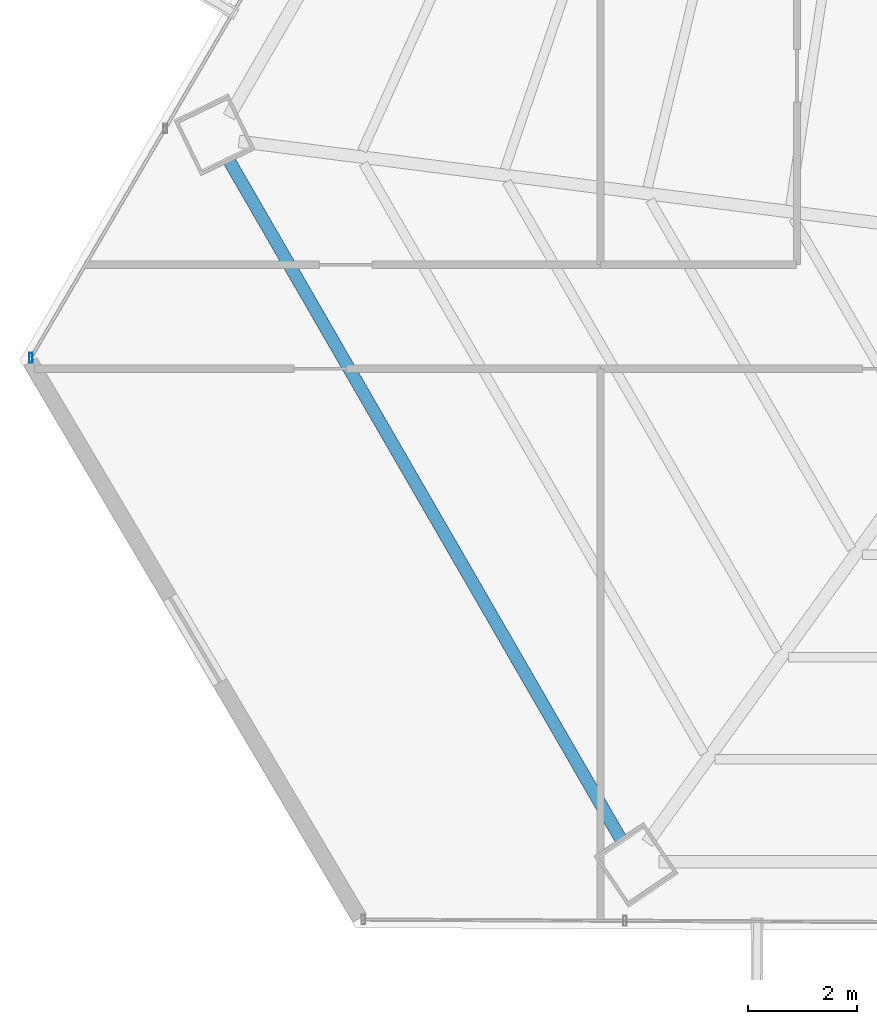
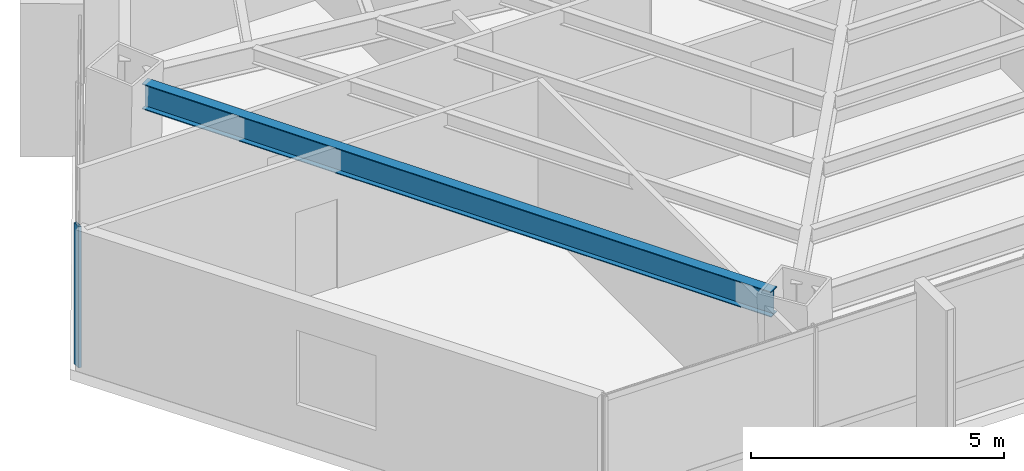
# One storey, part 6 of 35: 1 beam, 1 member, 1 element without a shape of its own.
"""IFC4 building model written with IfcOpenShell, lengths in metres."""

from ifc_helpers import new_model, si_unit, direction, frame, origin, origin_2d, place, context, subcontext, project, spatial, hollow_rectangle, i_section, extrude, source, transform, mapped, material, material_profile, profile_set, type_object, type_shapes, element, aggregate, save


model = new_model("IFC4")

# Units and contexts
model_context = context("Model", 3, precision=1e-05, world=origin(), true_north=direction((0.0, 1.0)))
body_context = subcontext(model_context, "Body", "Model", "MODEL_VIEW")
ifc_project = project(units=[si_unit("LENGTHUNIT", "METRE"), si_unit("AREAUNIT", "SQUARE_METRE"), si_unit("VOLUMEUNIT", "CUBIC_METRE"), si_unit("PLANEANGLEUNIT", "RADIAN"), si_unit("MASSUNIT", "GRAM", prefix="KILO")], contexts=[model_context])

# Site, building, storey
site_placement = place(None, origin())
site = spatial("IfcSite", under=ifc_project, at=site_placement, CompositionType="ELEMENT")
building_placement = place(site_placement, origin())
building = spatial("IfcBuilding", under=site, at=building_placement, Name="Caelisora Broadcast Tower", CompositionType="ELEMENT")
storey_placement = place(building_placement, frame((0.0, 0.0, 94.449951171875)))
storey = spatial("IfcBuildingStorey", under=building, at=storey_placement, Name="L24", CompositionType="ELEMENT", Elevation=94.449951171875)

# Beam
ifc_material_1 = material(Name="Steel Grade 350 (AS/NZS 3679.1)", Category="steel")
ifc_material_profile_1 = material_profile(ifc_material_1, i_section(OverallWidth=0.22900390625, OverallDepth=0.611572265625, WebThickness=0.011962890625, FlangeThickness=0.01953125, at=origin_2d()), Name="Steel Grade 350 (AS/NZS 3679.1)")
ifc_profile_set_1 = profile_set([ifc_material_profile_1], Name="Steel Grade 350 (AS/NZS 3679.1)")
beam_type = type_object("IfcBeamType", Name="PG03", PredefinedType="BEAM", material=ifc_profile_set_1)
shared_shape_1 = source(origin(), body_context, "Body", "SweptSolid", [
    extrude(i_section(OverallWidth=0.22900390625, OverallDepth=0.611572265625, WebThickness=0.011962890625, FlangeThickness=0.01953125, at=origin_2d()), origin(), (0.0, 0.0, 1.0), 14.334716796875),
])
type_shapes(beam_type, [shared_shape_1])
beam_placement = place(storey_placement, frame((15.020751953125, 19.009033203125, 3.09423828125), z_axis=(0.499991264927, -0.866030446922, 0.0), x_axis=(0.866030446922, 0.499991264927, 0.0)))
element("IfcBeam", 1, at=beam_placement, inside=storey, type_object=beam_type, Name="L24 beam PG03", PredefinedType="BEAM", context=body_context, shape_type="MappedRepresentation", body=[
    mapped(shared_shape_1, transform((0.0, 0.0, 0.0), scale=1.0)),
])

# Curtain wall, member
ifc_material_2 = material(Name="Unitised Aluminium and Low-E Glass Curtain Wall", Category="glass")
curtain_wall_type = type_object("IfcCurtainWallType", Name="CW-Z2", PredefinedType="NOTDEFINED", material=ifc_material_2)
curtain_wall_placement = place(storey_placement, origin())
curtain_wall = element("IfcCurtainWall", 2, at=curtain_wall_placement, inside=storey, type_object=curtain_wall_type, Name="L24 curtain wall CW-Z2", PredefinedType="NOTDEFINED")
ifc_material_3 = material(Name="Aluminium 6063-T6 Anodised Terracotta Bronze", Category="aluminium")
ifc_material_profile_2 = material_profile(ifc_material_3, hollow_rectangle(XDim=0.06494140625, YDim=0.179931640625, WallThickness=0.00341796875, at=origin_2d()), Name="Aluminium 6063-T6 Anodised Terracotta Bronze")
ifc_profile_set_2 = profile_set([ifc_material_profile_2], Name="Aluminium 6063-T6 Anodised Terracotta Bronze")
member_type = type_object("IfcMemberType", Name="CWM-02", PredefinedType="MULLION", material=ifc_profile_set_2)
shared_shape_2 = source(origin(), body_context, "Body", "SweptSolid", [
    extrude(hollow_rectangle(XDim=0.06494140625, YDim=0.179931640625, WallThickness=0.00341796875, at=origin_2d()), origin(), (0.0, 0.0, 1.0), 3.400146484375),
])
type_shapes(member_type, [shared_shape_2])
member_placement = place(storey_placement, frame((11.4033203125, 15.399169921875, 0.0), z_axis=(0.0, 0.0, 1.0), x_axis=(1.0, 0.0, 0.0)))
member = element("IfcMember", 3, at=member_placement, type_object=member_type, Name="L24-CW-B09 mullion #0", PredefinedType="MULLION", context=body_context, shape_type="MappedRepresentation", body=[
    mapped(shared_shape_2, transform((0.0, 0.0, 0.0), scale=1.0)),
])
aggregate(curtain_wall, [member])

save(model, "model.ifc")
